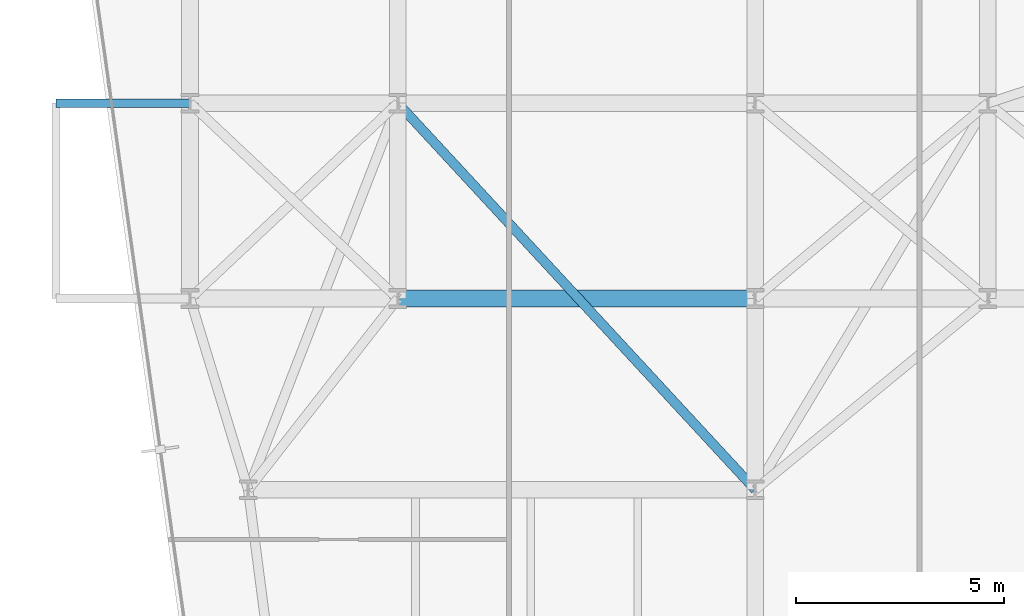
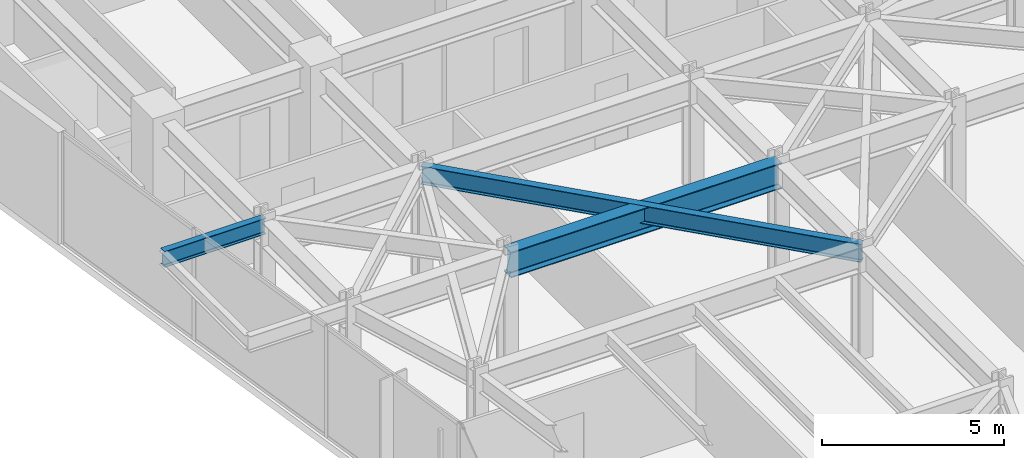
# One storey, part 10 of 26: 3 beams.
"""IFC4 building model written with IfcOpenShell, lengths in metres."""

from ifc_helpers import new_model, si_unit, direction, frame, origin, origin_2d, place, context, subcontext, project, spatial, i_section, extrude, material, material_profile, profile_set, type_object, element, save


model = new_model("IFC4")

# Units and contexts
model_context = context("Model", 3, precision=1e-05, world=origin(), true_north=direction((0.0, 1.0)))
body_context = subcontext(model_context, "Body", "Model", "MODEL_VIEW")
ifc_project = project(units=[si_unit("LENGTHUNIT", "METRE"), si_unit("AREAUNIT", "SQUARE_METRE"), si_unit("VOLUMEUNIT", "CUBIC_METRE"), si_unit("PLANEANGLEUNIT", "RADIAN"), si_unit("MASSUNIT", "GRAM", prefix="KILO")], contexts=[model_context])

# Site, building, storey
site_placement = place(None, origin())
site = spatial("IfcSite", under=ifc_project, at=site_placement, CompositionType="ELEMENT")
building_placement = place(site_placement, origin())
building = spatial("IfcBuilding", under=site, at=building_placement, Name="Kravanh Interchange Tower", CompositionType="ELEMENT")
storey_placement = place(building_placement, frame((0.0, 0.0, 100.0)))
storey = spatial("IfcBuildingStorey", under=building, at=storey_placement, Name="L23", CompositionType="ELEMENT", Elevation=100.0)

# Beams
ifc_material_1 = material(Name="Structural Steel S355", Category="steel")
ifc_material_profile_1 = material_profile(ifc_material_1, i_section(OverallWidth=0.39990234375, OverallDepth=0.85595703125, WebThickness=0.018310546875, FlangeThickness=0.029296875, FilletRadius=0.02490234375, at=origin_2d()), Name="W33X201")
ifc_profile_set_1 = profile_set([ifc_material_profile_1], Name="Structural Steel S355")
beam_type_1 = type_object("IfcBeamType", Name="Floor Beam W33X201 Structural Steel S355", PredefinedType="BEAM", material=ifc_profile_set_1)
beam_1_placement = place(storey_placement, frame((18.60009765625, 26.800048828125, 3.322021484375), z_axis=(1.0, 0.0, 0.0), x_axis=(0.0, 1.0, 0.0)))
element("IfcBeam", 1, at=beam_1_placement, inside=storey, type_object=beam_type_1, Name="L23 Primary Floor Girder 44", PredefinedType="BEAM", context=body_context, shape_type="SweptSolid", body=[
    extrude(i_section(OverallWidth=0.39990234375, OverallDepth=0.85595703125, WebThickness=0.018310546875, FlangeThickness=0.029296875, FilletRadius=0.02490234375, at=origin_2d()), origin(), (0.0, 0.0, 1.0), 8.599853515625),
])
ifc_material_2 = material(Name="Structural Steel S355", Category="steel")
ifc_material_profile_2 = material_profile(ifc_material_2, i_section(OverallWidth=0.2099609375, OverallDepth=0.537109375, WebThickness=0.010986328125, FlangeThickness=0.017333984375, FilletRadius=0.02001953125, at=origin_2d()), Name="W21X68")
ifc_profile_set_2 = profile_set([ifc_material_profile_2], Name="Structural Steel S355")
beam_type_2 = type_object("IfcBeamType", Name="Floor Spandrel W21X68 Structural Steel S355", PredefinedType="SPANDREL", material=ifc_profile_set_2)
beam_2_placement = place(storey_placement, frame((13.60009765625, 31.5, 3.4814453125), z_axis=(-1.0, 0.0, 0.0), x_axis=(0.0, -1.0, 0.0)))
element("IfcBeam", 2, at=beam_2_placement, inside=storey, type_object=beam_type_2, Name="L23 Balcony Cantilever Outrigger W2", PredefinedType="SPANDREL", context=body_context, shape_type="SweptSolid", body=[
    extrude(i_section(OverallWidth=0.2099609375, OverallDepth=0.537109375, WebThickness=0.010986328125, FlangeThickness=0.017333984375, FilletRadius=0.02001953125, at=origin_2d()), origin(), (0.0, 0.0, 1.0), 3.22998046875),
])
ifc_material_3 = material(Name="Structural Steel S355", Category="steel")
ifc_material_profile_3 = material_profile(ifc_material_3, i_section(OverallWidth=0.22802734375, OverallDepth=0.60791015625, WebThickness=0.01123046875, FlangeThickness=0.017333984375, FilletRadius=0.02197265625, at=origin_2d()), Name="W24X76")
ifc_profile_set_3 = profile_set([ifc_material_profile_3], Name="Structural Steel S355")
beam_type_3 = type_object("IfcBeamType", Name="Floor Spandrel W24X76 Structural Steel S355", PredefinedType="SPANDREL", material=ifc_profile_set_3)
beam_3_placement = place(storey_placement, frame((18.60009765625, 31.5, 3.446044921875), z_axis=(0.678927458783, -0.734205356634, 0.0), x_axis=(0.734205356634, 0.678927458783, 0.0)))
element("IfcBeam", 3, at=beam_3_placement, inside=storey, type_object=beam_type_3, Name="L23 Perimeter Spandrel 73", PredefinedType="SPANDREL", context=body_context, shape_type="SweptSolid", body=[
    extrude(i_section(OverallWidth=0.22802734375, OverallDepth=0.60791015625, WebThickness=0.01123046875, FlangeThickness=0.017333984375, FilletRadius=0.02197265625, at=origin_2d()), origin(), (0.0, 0.0, 1.0), 12.666748046875),
])

save(model, "model.ifc")
